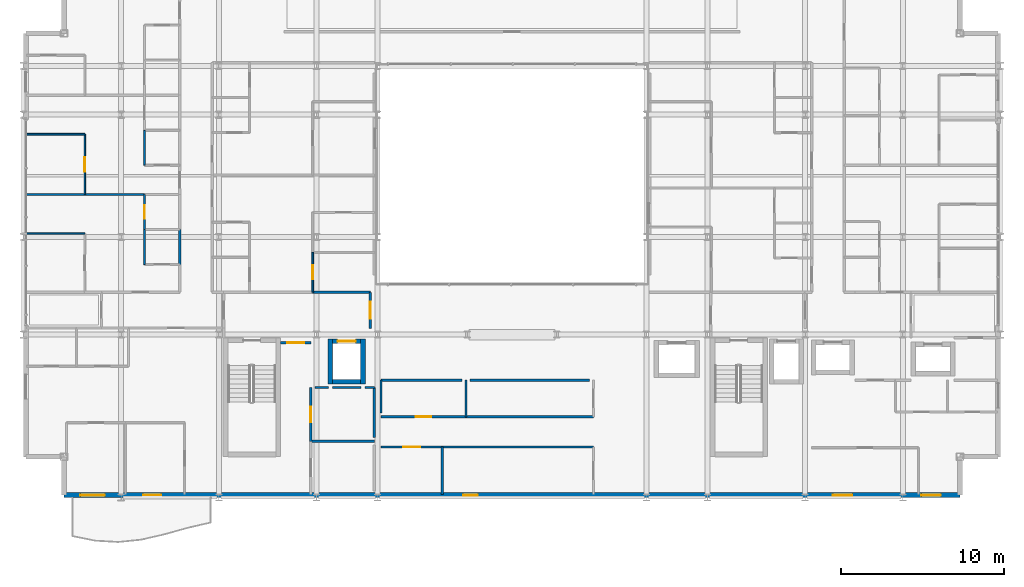
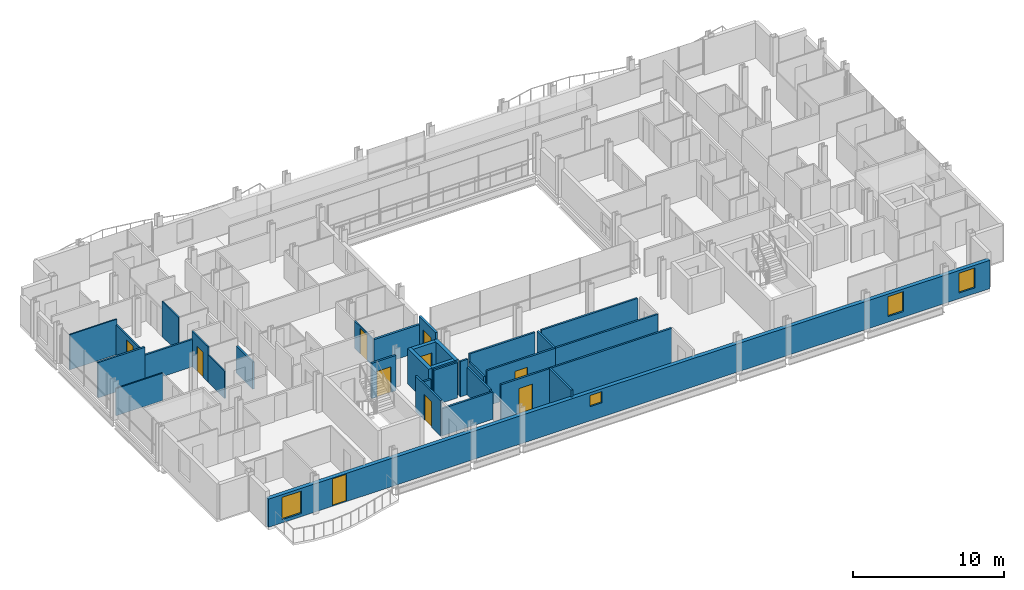
# One storey, part 32 of 41: 33 walls, 10 doors, 4 windows, 14 openings.
"""IFC4 building model written with IfcOpenShell, lengths in metres."""

import ifcopenshell
import ifcopenshell.guid

model = None  # the IFC model being written
_history = None  # IfcOwnerHistory: only IFC2X3 demands one
_inside = {}  # id of a spatial element -> (the spatial element, [elements in it])
_under = {}  # id of a project, library or spatial element -> (it, [spatial elements below it])
_declared = {}  # id of a project -> (the project, [libraries it declares])
_typed = {}  # id of a type object -> (the type object, [elements of that type])
_made_of = {}  # id of a material, layer set ... -> (it, [elements and type objects made of it])


def new_model(schema):
    """Start an empty IFC model of exactly this schema.

    Asked for "IFC4X3", IfcOpenShell would pick the latest addendum, in which some entities
    have other attributes; the version numbers below select the first issue.
    IFC2X3 requires an IfcOwnerHistory on every rooted entity: one is made here for all.
    """
    global model, _history
    if schema == "IFC4X3":
        model = ifcopenshell.file(schema_version=(4, 3, 0, 0))
    else:
        model = ifcopenshell.file(schema=schema)
    _inside.clear()
    _under.clear()
    _declared.clear()
    _typed.clear()
    _made_of.clear()
    _history = None
    if model.schema == "IFC2X3":
        org = make("IfcOrganization", Name="unknown")
        user = make(
            "IfcPersonAndOrganization",
            ThePerson=make("IfcPerson", FamilyName="unknown"),
            TheOrganization=org,
        )
        app = make(
            "IfcApplication",
            ApplicationDeveloper=org,
            Version="unknown",
            ApplicationFullName="unknown",
            ApplicationIdentifier="unknown",
        )
        _history = make(
            "IfcOwnerHistory",
            OwningUser=user,
            OwningApplication=app,
            ChangeAction="ADDED",
            CreationDate=0,
        )
    return model


def make(cls, **values):
    """One entity of the class cls with the attributes given. An attribute that is None is left unset."""
    return model.create_entity(
        cls, **{name: value for name, value in values.items() if value is not None}
    )


def rooted(cls, **values):
    """An entity with a GlobalId (a new one), such as an element, a storey or a relation."""
    return make(cls, GlobalId=ifcopenshell.guid.new(), OwnerHistory=_history, **values)


def si_unit(unit_type, name, prefix=None):
    """IfcSIUnit, for example si_unit("LENGTHUNIT", "METRE", prefix="MILLI")."""
    return make("IfcSIUnit", UnitType=unit_type, Prefix=prefix, Name=name)


def assignment(units):
    """IfcUnitAssignment: the units of a project."""
    return None if units is None else make("IfcUnitAssignment", Units=units)


def point(xyz):
    """IfcCartesianPoint."""
    return None if xyz is None else make("IfcCartesianPoint", Coordinates=xyz)


def direction(xyz):
    """IfcDirection."""
    return None if xyz is None else make("IfcDirection", DirectionRatios=xyz)


def frame(location, z_axis=None, x_axis=None):
    """IfcAxis2Placement3D, a coordinate frame: its origin and axes. An axis left out is left unset."""
    return make(
        "IfcAxis2Placement3D",
        Location=point(location),
        Axis=direction(z_axis),
        RefDirection=direction(x_axis),
    )


def frame_2d(location, x_axis=None):
    """IfcAxis2Placement2D, a coordinate frame in the plane: its origin and x axis."""
    return make(
        "IfcAxis2Placement2D", Location=point(location), RefDirection=direction(x_axis)
    )


def origin():
    """The frame at (0, 0, 0) with its axes left unset."""
    return frame((0.0, 0.0, 0.0))


def place(relative_to, where):
    """IfcLocalPlacement: puts the frame where relative to a parent placement (None: the world)."""
    return make(
        "IfcLocalPlacement", PlacementRelTo=relative_to, RelativePlacement=where
    )


def context(
    kind, dimensions, precision=None, world=None, true_north=None, identifier=None
):
    """IfcGeometricRepresentationContext, for example the 3D "Model" context."""
    return make(
        "IfcGeometricRepresentationContext",
        ContextIdentifier=identifier,
        ContextType=kind,
        CoordinateSpaceDimension=dimensions,
        Precision=precision,
        WorldCoordinateSystem=world,
        TrueNorth=true_north,
    )


def subcontext(parent, identifier, kind, view, scale=None):
    """IfcGeometricRepresentationSubContext, for example "Body" below "Model"."""
    return make(
        "IfcGeometricRepresentationSubContext",
        ContextIdentifier=identifier,
        ContextType=kind,
        ParentContext=parent,
        TargetScale=scale,
        TargetView=view,
    )


def project(units=None, contexts=None):
    """IfcProject with its units and contexts."""
    return rooted(
        "IfcProject",
        Name="project",
        RepresentationContexts=contexts,
        UnitsInContext=assignment(units),
    )


def spatial(cls, under=None, at=None, **own):
    """A site, building, storey or space (cls), placed at a placement, below another one or the project."""
    s = rooted(cls, ObjectPlacement=at, **own)
    if under is not None:
        _under.setdefault(under.id(), (under, []))[1].append(s)
    return s


def profile(cls, at=None, kind="AREA", **sizes):
    """A parametric profile (cls). Its sizes go by their IFC names, for example OverallWidth=200.0."""
    return make(cls, ProfileType=kind, Position=at, **sizes)


def rectangle(**sizes):
    """IfcRectangleProfileDef."""
    return profile("IfcRectangleProfileDef", **sizes)


def extrude(swept, where, along, depth):
    """IfcExtrudedAreaSolid: the profile swept, set in the frame where, extruded along a direction by depth."""
    return make(
        "IfcExtrudedAreaSolid",
        SweptArea=swept,
        Position=where,
        ExtrudedDirection=direction(along),
        Depth=depth,
    )


def shape(context_of_items, identifier, shape_type, items):
    """IfcShapeRepresentation: the items that make up one representation, for example the "Body"."""
    return make(
        "IfcShapeRepresentation",
        ContextOfItems=context_of_items,
        RepresentationIdentifier=identifier,
        RepresentationType=shape_type,
        Items=items,
    )


def material(Name=None, Category=None):
    """IfcMaterial."""
    return make("IfcMaterial", Name=Name, Category=Category)


def layer(
    of_material, thickness, ventilated=None, Name=None, Category=None, Priority=None
):
    """IfcMaterialLayer: one layer of a wall or slab, of a material (None: an air gap)."""
    return make(
        "IfcMaterialLayer",
        Material=of_material,
        LayerThickness=thickness,
        IsVentilated=ventilated,
        Name=Name,
        Category=Category,
        Priority=Priority,
    )


def layer_set(layers, Name=None):
    """IfcMaterialLayerSet."""
    return make("IfcMaterialLayerSet", MaterialLayers=layers, LayerSetName=Name)


def made_of(thing, what):
    """Note that an element or type object is made of a material, layer set ...; save() writes the relation."""
    if what is not None:
        _made_of.setdefault(what.id(), (what, []))[1].append(thing)
    return thing


def type_object(cls, material=None, **own):
    """A type object (cls), such as IfcWallType, which elements share."""
    return made_of(rooted(cls, **own), material)


def element(
    cls,
    number,
    at=None,
    inside=None,
    cuts=None,
    type_object=None,
    material=None,
    context=None,
    identifier="Body",
    shape_type=None,
    held_by="IfcProductDefinitionShape",
    body=None,
    shapes=None,
    **own,
):
    """One element of the class cls, such as IfcWall. Its Tag is "e" and its number.

    at: its placement. inside: the storey or other place that contains it. cuts: it is an
    opening in that element (IfcRelVoidsElement). A single representation is given by context,
    identifier, shape_type and body (its items); several are given by shapes. held_by: the class
    of the entity that holds the representations. save() writes the other relations.
    """
    e = rooted(cls, Tag="e%d" % number, ObjectPlacement=at, **own)
    if body is not None:
        shapes = [shape(context, identifier, shape_type, body)]
    if shapes is not None:
        e.Representation = make(held_by, Representations=shapes)
    if inside is not None:
        _inside.setdefault(inside.id(), (inside, []))[1].append(e)
    if cuts is not None:
        rooted(
            "IfcRelVoidsElement", RelatingBuildingElement=cuts, RelatedOpeningElement=e
        )
    if type_object is not None:
        _typed.setdefault(type_object.id(), (type_object, []))[1].append(e)
    return made_of(e, material)


def fill(opening, filler):
    """IfcRelFillsElement: the door or window that sits in an opening."""
    return rooted(
        "IfcRelFillsElement",
        RelatingOpeningElement=opening,
        RelatedBuildingElement=filler,
    )


def aggregate(whole, parts):
    """IfcRelAggregates: a whole, such as a stair, and the parts it consists of."""
    return rooted("IfcRelAggregates", RelatingObject=whole, RelatedObjects=parts)


def save(model, path):
    """Write the relations noted so far, then the file.

    IfcRelAggregates (storeys below a building ...), IfcRelContainedInSpatialStructure (elements
    in a storey), IfcRelDefinesByType, IfcRelAssociatesMaterial and IfcRelDeclares: one each for
    every whole, place, type object, material and project.
    """
    for whole, parts in _under.values():
        aggregate(whole, parts)
    for where, things in _inside.values():
        rooted(
            "IfcRelContainedInSpatialStructure",
            RelatedElements=things,
            RelatingStructure=where,
        )
    for kind, things in _typed.values():
        rooted("IfcRelDefinesByType", RelatedObjects=things, RelatingType=kind)
    for what, things in _made_of.values():
        rooted("IfcRelAssociatesMaterial", RelatedObjects=things, RelatingMaterial=what)
    for by, libraries in _declared.values():
        rooted("IfcRelDeclares", RelatingContext=by, RelatedDefinitions=libraries)
    model.write(path)


model = new_model("IFC4")

# Units and contexts
model_context = context("Model", 3, precision=1e-05, world=origin(), true_north=direction((0.0, 1.0)))
body_context = subcontext(model_context, "Body", "Model", "MODEL_VIEW")
ifc_project = project(units=[si_unit("LENGTHUNIT", "METRE"), si_unit("AREAUNIT", "SQUARE_METRE"), si_unit("VOLUMEUNIT", "CUBIC_METRE"), si_unit("PLANEANGLEUNIT", "RADIAN"), si_unit("MASSUNIT", "GRAM", prefix="KILO")], contexts=[model_context])

# Site, building, storey
site_placement = place(None, origin())
site = spatial("IfcSite", under=ifc_project, at=site_placement, CompositionType="ELEMENT")
building_placement = place(site_placement, origin())
building = spatial("IfcBuilding", under=site, at=building_placement, Name="Brevholm Reach", CompositionType="ELEMENT")
storey_placement = place(building_placement, frame((0.0, 0.0, 93.10009765625)))
storey = spatial("IfcBuildingStorey", under=building, at=storey_placement, Name="L27", CompositionType="ELEMENT", Elevation=93.10009765625)

# Walls
ifc_material_1 = material(Name="Concrete C50/60", Category="concrete")
ifc_layer_1 = layer(ifc_material_1, 0.280029296875)
ifc_layer_set_1 = layer_set([ifc_layer_1], Name="Concrete C50/60")
wall_type_1 = type_object("IfcWallType", Name="WAL-COR-280", PredefinedType="SHEAR", material=ifc_layer_set_1)
for number, where, z_axis, x_axis, name in (
    (1, (18.85009765625, 6.9599609375, 0.0), (0.0, 0.0, 1.0), (0.0, 1.0, 0.0), "L27 Lift FFL-1 Shaft Wall W"),
    (2, (20.85009765625, 6.9599609375, 0.0), (0.0, 0.0, 1.0), (0.0, 1.0, 0.0), "L27 Lift FFL-1 Shaft Wall E"),
):
    element("IfcWall", number, at=place(storey_placement, frame(where, z_axis=z_axis, x_axis=x_axis)), inside=storey, type_object=wall_type_1, Name=name, PredefinedType="SHEAR", context=body_context, shape_type="SweptSolid", body=[
        extrude(rectangle(XDim=2.780029296875, YDim=0.280029296875, at=frame_2d((1.39013671875, 0.0))), origin(), (0.0, 0.0, 1.0), 2.83984375),
    ])
wall_1_placement = place(storey_placement, frame((18.989990234375, 7.10009765625, 0.0), z_axis=(0.0, 0.0, 1.0), x_axis=(1.0, 0.0, 0.0)))
element("IfcWall", 3, at=wall_1_placement, inside=storey, type_object=wall_type_1, Name="L27 Lift FFL-1 Shaft Wall S", PredefinedType="SHEAR", context=body_context, shape_type="SweptSolid", body=[
    extrude(rectangle(XDim=1.719970703125, YDim=0.280029296875, at=frame_2d((0.85986328125, 0.0))), origin(), (0.0, 0.0, 1.0), 2.83984375),
])

# Wall, opening, door
wall_2_placement = place(storey_placement, frame((18.989990234375, 9.60009765625, 0.0), z_axis=(0.0, 0.0, 1.0), x_axis=(1.0, 0.0, 0.0)))
wall_2 = element("IfcWall", 4, at=wall_2_placement, inside=storey, type_object=wall_type_1, Name="L27 Lift FFL-1 Shaft Wall N", PredefinedType="SHEAR", context=body_context, shape_type="SweptSolid", body=[
    extrude(rectangle(XDim=1.719970703125, YDim=0.280029296875, at=frame_2d((0.85986328125, 0.0))), origin(), (0.0, 0.0, 1.0), 2.83984375),
])
opening_1_placement = place(wall_2_placement, frame((0.31005859375, 0.0, 0.0)))
opening_1 = element("IfcOpeningElement", 5, at=opening_1_placement, cuts=wall_2, Name="Opening LD-FFL-1", PredefinedType="OPENING", context=body_context, shape_type="SweptSolid", body=[
    extrude(rectangle(XDim=1.10009765625, YDim=2.06005859375, at=frame_2d((0.550048828125, 1.030029296875))), frame((0.0, 0.14990234375, 0.0), z_axis=(0.0, -1.0, 0.0), x_axis=(1.0, 0.0, 0.0)), (0.0, 0.0, 1.0), 0.300048828125),
])
ifc_material_2 = material(Name="Brushed Stainless Steel Fire-Rated Sliding Lift Door", Category="steel")
door_type_1 = type_object("IfcDoorType", Name="DOR-LFT-1100", OperationType="NOTDEFINED", PredefinedType="DOOR", material=ifc_material_2)
door_1_placement = place(opening_1_placement, origin())
door_1 = element("IfcDoor", 6, at=door_1_placement, inside=storey, type_object=door_type_1, Name="L27 Lift FFL-1 Sliding Landing Door", OperationType="SLIDING_TO_LEFT", OverallHeight=2.06005859375, OverallWidth=1.10009765625, PredefinedType="DOOR", context=body_context, shape_type="SweptSolid", body=[
    extrude(rectangle(XDim=1.10009765625, YDim=2.06005859375, at=frame_2d((0.550048828125, 1.030029296875))), frame((0.0, 0.02490234375, 0.0), z_axis=(0.0, -1.0, 0.0), x_axis=(1.0, 0.0, 0.0)), (0.0, 0.0, 1.0), 0.050048828125),
])
fill(opening_1, door_1)

# Wall, openings, door, windows
ifc_material_3 = material(Name="Concrete C40/50", Category="concrete")
ifc_layer_2 = layer(ifc_material_3, 0.300048828125)
ifc_layer_set_2 = layer_set([ifc_layer_2], Name="Concrete C40/50")
wall_type_2 = type_object("IfcWallType", Name="WAL-EXT-300", PredefinedType="STANDARD", material=ifc_layer_set_2)
wall_3_placement = place(storey_placement, frame((2.5, 0.14990234375, 0.0), z_axis=(0.0, 0.0, 1.0), x_axis=(1.0, 0.0, 0.0)))
wall_3 = element("IfcWall", 7, at=wall_3_placement, inside=storey, type_object=wall_type_2, Name="L27 Facade Wall WAL-L27-S", PredefinedType="STANDARD", context=body_context, shape_type="SweptSolid", body=[
    extrude(rectangle(XDim=55.0, YDim=0.300048828125, at=frame_2d((27.5, 0.0))), origin(), (0.0, 0.0, 1.0), 2.275390625),
])
opening_2_placement = place(wall_3_placement, frame((4.85009765625, 0.0, 0.0)))
opening_2 = element("IfcOpeningElement", 8, at=opening_2_placement, cuts=wall_3, Name="Opening BD-01", PredefinedType="OPENING", context=body_context, shape_type="SweptSolid", body=[
    extrude(rectangle(XDim=1.10009765625, YDim=2.199951171875, at=frame_2d((0.550048828125, 1.10009765625))), frame((0.0, 0.159912109375, 0.0), z_axis=(0.0, -1.0, 0.0), x_axis=(1.0, 0.0, 0.0)), (0.0, 0.0, 1.0), 0.320068359375),
])
opening_3_placement = place(wall_3_placement, frame((1.0, 0.0, 0.256103515625)))
opening_3 = element("IfcOpeningElement", 9, at=opening_3_placement, cuts=wall_3, Name="Opening WN-05", PredefinedType="OPENING", context=body_context, shape_type="SweptSolid", body=[
    extrude(rectangle(XDim=1.5, YDim=1.800048828125, at=frame_2d((0.75, 0.89990234375))), frame((0.0, 0.159912109375, 0.0), z_axis=(0.0, -1.0, 0.0), x_axis=(1.0, 0.0, 0.0)), (0.0, 0.0, 1.0), 0.320068359375),
])
opening_4_placement = place(wall_3_placement, frame((24.5, 0.0, 1.14990234375)))
opening_4 = element("IfcOpeningElement", 10, at=opening_4_placement, cuts=wall_3, Name="Opening WN-09", PredefinedType="OPENING", context=body_context, shape_type="SweptSolid", body=[
    extrude(rectangle(XDim=0.89990234375, YDim=0.89990234375, at=frame_2d((0.449951171875, 0.449951171875))), frame((0.0, 0.159912109375, 0.0), z_axis=(0.0, -1.0, 0.0), x_axis=(1.0, 0.0, 0.0)), (0.0, 0.0, 1.0), 0.320068359375),
])
opening_5_placement = place(wall_3_placement, frame((47.199951171875, 0.0, 0.4560546875)))
opening_5 = element("IfcOpeningElement", 11, at=opening_5_placement, cuts=wall_3, Name="Opening WN-08", PredefinedType="OPENING", context=body_context, shape_type="SweptSolid", body=[
    extrude(rectangle(XDim=1.199951171875, YDim=1.60009765625, at=frame_2d((0.60009765625, 0.800048828125))), frame((0.0, 0.159912109375, 0.0), z_axis=(0.0, -1.0, 0.0), x_axis=(1.0, 0.0, 0.0)), (0.0, 0.0, 1.0), 0.320068359375),
])
opening_6_placement = place(wall_3_placement, frame((52.6298828125, 0.0, 0.4560546875)))
opening_6 = element("IfcOpeningElement", 12, at=opening_6_placement, cuts=wall_3, Name="Opening WN-08", PredefinedType="OPENING", context=body_context, shape_type="SweptSolid", body=[
    extrude(rectangle(XDim=1.199951171875, YDim=1.60009765625, at=frame_2d((0.60009765625, 0.800048828125))), frame((0.0, 0.159912109375, 0.0), z_axis=(0.0, -1.0, 0.0), x_axis=(1.0, 0.0, 0.0)), (0.0, 0.0, 1.0), 0.320068359375),
])
ifc_material_4 = material(Name="Dark Anodised Aluminium and Triple-Glazed Glass", Category="aluminium")
door_type_2 = type_object("IfcDoorType", Name="DOR-BALC-1100", OperationType="NOTDEFINED", PredefinedType="DOOR", material=ifc_material_4)
door_2_placement = place(opening_2_placement, origin())
door_2 = element("IfcDoor", 13, at=door_2_placement, inside=storey, type_object=door_type_2, Name="L27 Exterior Door DOR-L27-BL-SW", OperationType="SINGLE_SWING_RIGHT", OverallHeight=2.199951171875, OverallWidth=1.10009765625, PredefinedType="DOOR", context=body_context, shape_type="SweptSolid", body=[
    extrude(rectangle(XDim=1.10009765625, YDim=2.199951171875, at=frame_2d((0.550048828125, 1.10009765625))), frame((0.0, 0.02490234375, 0.0), z_axis=(0.0, -1.0, 0.0), x_axis=(1.0, 0.0, 0.0)), (0.0, 0.0, 1.0), 0.050048828125),
])
fill(opening_2, door_2)
ifc_material_5 = material(Name="Dark Anodised Aluminium and Solar-Control IGU Glass", Category="aluminium")
window_type_1 = type_object("IfcWindowType", Name="WIN-POR-0900", PartitioningType="SINGLE_PANEL", PredefinedType="WINDOW", material=ifc_material_5)
window_1_placement = place(opening_4_placement, origin())
window_1 = element("IfcWindow", 14, at=window_1_placement, inside=storey, type_object=window_type_1, Name="L27 Window WIN-L27-S-POR", OverallHeight=0.89990234375, OverallWidth=0.89990234375, PartitioningType="SINGLE_PANEL", PredefinedType="WINDOW", context=body_context, shape_type="SweptSolid", body=[
    extrude(rectangle(XDim=0.89990234375, YDim=0.89990234375, at=frame_2d((0.449951171875, 0.449951171875))), frame((0.0, 0.030029296875, 0.0), z_axis=(0.0, -1.0, 0.0), x_axis=(1.0, 0.0, 0.0)), (0.0, 0.0, 1.0), 0.06005859375),
])
fill(opening_4, window_1)
ifc_material_6 = material(Name="Dark Anodised Aluminium and Solar-Control IGU Glass", Category="aluminium")
window_type_2 = type_object("IfcWindowType", Name="WIN-RES-1200", PartitioningType="SINGLE_PANEL", PredefinedType="WINDOW", material=ifc_material_6)
window_2_placement = place(opening_5_placement, origin())
window_2 = element("IfcWindow", 15, at=window_2_placement, inside=storey, type_object=window_type_2, Name="L27 Window WIN-L27-S-E1", OverallHeight=1.60009765625, OverallWidth=1.199951171875, PartitioningType="SINGLE_PANEL", PredefinedType="WINDOW", context=body_context, shape_type="SweptSolid", body=[
    extrude(rectangle(XDim=1.199951171875, YDim=1.60009765625, at=frame_2d((0.60009765625, 0.800048828125))), frame((0.0, 0.030029296875, 0.0), z_axis=(0.0, -1.0, 0.0), x_axis=(1.0, 0.0, 0.0)), (0.0, 0.0, 1.0), 0.06005859375),
])
fill(opening_5, window_2)
window_3_placement = place(opening_6_placement, origin())
window_3 = element("IfcWindow", 16, at=window_3_placement, inside=storey, type_object=window_type_2, Name="L27 Window WIN-L27-S-E2", OverallHeight=1.60009765625, OverallWidth=1.199951171875, PartitioningType="SINGLE_PANEL", PredefinedType="WINDOW", context=body_context, shape_type="SweptSolid", body=[
    extrude(rectangle(XDim=1.199951171875, YDim=1.60009765625, at=frame_2d((0.60009765625, 0.800048828125))), frame((0.0, 0.030029296875, 0.0), z_axis=(0.0, -1.0, 0.0), x_axis=(1.0, 0.0, 0.0)), (0.0, 0.0, 1.0), 0.06005859375),
])
fill(opening_6, window_3)
ifc_material_7 = material(Name="Dark Anodised Aluminium and Solar-Control IGU Glass", Category="aluminium")
window_type_3 = type_object("IfcWindowType", Name="WIN-RES-1500", PartitioningType="SINGLE_PANEL", PredefinedType="WINDOW", material=ifc_material_7)
window_4_placement = place(opening_3_placement, origin())
window_4 = element("IfcWindow", 17, at=window_4_placement, inside=storey, type_object=window_type_3, Name="L27 Window WIN-L27-S-W1", OverallHeight=1.800048828125, OverallWidth=1.5, PartitioningType="SINGLE_PANEL", PredefinedType="WINDOW", context=body_context, shape_type="SweptSolid", body=[
    extrude(rectangle(XDim=1.5, YDim=1.800048828125, at=frame_2d((0.75, 0.89990234375))), frame((0.0, 0.030029296875, 0.0), z_axis=(0.0, -1.0, 0.0), x_axis=(1.0, 0.0, 0.0)), (0.0, 0.0, 1.0), 0.06005859375),
])
fill(opening_3, window_4)

# Wall, opening, door
ifc_material_8 = material(Name="Moisture-Resistant Acoustic Gypsum Stud Partition 100 mm", Category="gypsum")
ifc_layer_3 = layer(ifc_material_8, 0.10009765625)
ifc_layer_set_3 = layer_set([ifc_layer_3], Name="Moisture-Resistant Acoustic Gypsum Stud Partition 100 mm")
wall_type_3 = type_object("IfcWallType", Name="WAL-PRT-100", PredefinedType="PARTITIONING", material=ifc_layer_set_3)
wall_4_placement = place(storey_placement, frame((7.43798828125, 16.449951171875, 0.0), z_axis=(0.0, 0.0, 1.0), x_axis=(0.0, 1.0, 0.0)))
wall_4 = element("IfcWall", 18, at=wall_4_placement, inside=storey, type_object=wall_type_3, Name="L27 Internal Partition 091", PredefinedType="PARTITIONING", context=body_context, shape_type="SweptSolid", body=[
    extrude(rectangle(XDim=2.150146484375, YDim=0.10009765625, at=frame_2d((1.0751953125, 0.0))), origin(), (0.0, 0.0, 1.0), 2.83984375),
])
opening_7_placement = place(wall_4_placement, frame((0.6650390625, 0.0, 0.0)))
opening_7 = element("IfcOpeningElement", 19, at=opening_7_placement, cuts=wall_4, Name="Opening ID-03", PredefinedType="OPENING", context=body_context, shape_type="SweptSolid", body=[
    extrude(rectangle(XDim=0.820068359375, YDim=2.02001953125, at=frame_2d((0.41015625, 1.010009765625))), frame((0.0, 0.06005859375, 0.0), z_axis=(0.0, -1.0, 0.0), x_axis=(1.0, 0.0, 0.0)), (0.0, 0.0, 1.0), 0.1201171875),
])
ifc_material_9 = material(Name="Moisture-Resistant Painted Timber Internal Bathroom Door", Category="wood")
door_type_3 = type_object("IfcDoorType", Name="DOR-BATH-820", OperationType="NOTDEFINED", PredefinedType="DOOR", material=ifc_material_9)
door_3_placement = place(opening_7_placement, origin())
door_3 = element("IfcDoor", 20, at=door_3_placement, inside=storey, type_object=door_type_3, Name="L27 Internal Door 033", OperationType="SINGLE_SWING_RIGHT", OverallHeight=2.02001953125, OverallWidth=0.820068359375, PredefinedType="DOOR", context=body_context, shape_type="SweptSolid", body=[
    extrude(rectangle(XDim=0.820068359375, YDim=2.02001953125, at=frame_2d((0.41015625, 1.010009765625))), frame((0.0, 0.02490234375, 0.0), z_axis=(0.0, -1.0, 0.0), x_axis=(1.0, 0.0, 0.0)), (0.0, 0.0, 1.0), 0.050048828125),
])
fill(opening_7, door_3)

# Walls
wall_5_placement = place(storey_placement, frame((7.43798828125, 14.300048828125, 0.0), z_axis=(0.0, 0.0, 1.0), x_axis=(0.0, 1.0, 0.0)))
element("IfcWall", 21, at=wall_5_placement, inside=storey, type_object=wall_type_3, Name="L27 Internal Partition 094", PredefinedType="PARTITIONING", context=body_context, shape_type="SweptSolid", body=[
    extrude(rectangle(XDim=2.14599609375, YDim=0.10009765625, at=frame_2d((1.072998046875, 0.0))), origin(), (0.0, 0.0, 1.0), 2.19482421875),
])
wall_6_placement = place(storey_placement, frame((0.199951171875, 16.199951171875, 0.0), z_axis=(0.0, 0.0, 1.0), x_axis=(1.0, 0.0, 0.0)))
element("IfcWall", 22, at=wall_6_placement, inside=storey, type_object=wall_type_3, Name="L27 Internal Partition 096", PredefinedType="PARTITIONING", context=body_context, shape_type="SweptSolid", body=[
    extrude(rectangle(XDim=3.572021484375, YDim=0.10009765625, at=frame_2d((1.7861328125, 0.0))), origin(), (0.0, 0.0, 1.0), 2.19482421875),
])
wall_7_placement = place(storey_placement, frame((7.43798828125, 20.39990234375, 0.0), z_axis=(0.0, 0.0, 1.0), x_axis=(0.0, 1.0, 0.0)))
element("IfcWall", 23, at=wall_7_placement, inside=storey, type_object=wall_type_3, Name="L27 Internal Partition 103", PredefinedType="PARTITIONING", context=body_context, shape_type="SweptSolid", body=[
    extrude(rectangle(XDim=2.14599609375, YDim=0.10009765625, at=frame_2d((1.072998046875, 0.0))), origin(), (0.0, 0.0, 1.0), 2.83984375),
])

# Wall, opening, door
wall_8_placement = place(storey_placement, frame((3.77197265625, 18.60400390625, 0.0), z_axis=(0.0, 0.0, 1.0), x_axis=(0.0, 1.0, 0.0)))
wall_8 = element("IfcWall", 24, at=wall_8_placement, inside=storey, type_object=wall_type_3, Name="L27 Internal Partition 104", PredefinedType="PARTITIONING", context=body_context, shape_type="SweptSolid", body=[
    extrude(rectangle(XDim=3.696044921875, YDim=0.10009765625, at=frame_2d((1.84814453125, 0.0))), origin(), (0.0, 0.0, 1.0), 2.408447265625),
])
opening_8_placement = place(wall_8_placement, frame((1.407958984375, 0.0, 0.0)))
opening_8 = element("IfcOpeningElement", 25, at=opening_8_placement, cuts=wall_8, Name="Opening ID-01", PredefinedType="OPENING", context=body_context, shape_type="SweptSolid", body=[
    extrude(rectangle(XDim=0.8798828125, YDim=2.0400390625, at=frame_2d((0.43994140625, 1.02001953125))), frame((0.0, 0.06005859375, 0.0), z_axis=(0.0, -1.0, 0.0), x_axis=(1.0, 0.0, 0.0)), (0.0, 0.0, 1.0), 0.1201171875),
])
ifc_material_10 = material(Name="Lacquered Ash Solid-Core Acoustic Internal Door", Category="timber")
door_type_4 = type_object("IfcDoorType", Name="DOR-INT-880", OperationType="NOTDEFINED", PredefinedType="DOOR", material=ifc_material_10)
door_4_placement = place(opening_8_placement, origin())
door_4 = element("IfcDoor", 26, at=door_4_placement, inside=storey, type_object=door_type_4, Name="L27 Internal Door 038", OperationType="SINGLE_SWING_LEFT", OverallHeight=2.0400390625, OverallWidth=0.8798828125, PredefinedType="DOOR", context=body_context, shape_type="SweptSolid", body=[
    extrude(rectangle(XDim=0.8798828125, YDim=2.0400390625, at=frame_2d((0.43994140625, 1.02001953125))), frame((0.0, 0.02490234375, 0.0), z_axis=(0.0, -1.0, 0.0), x_axis=(1.0, 0.0, 0.0)), (0.0, 0.0, 1.0), 0.050048828125),
])
fill(opening_8, door_4)

# Wall
wall_9_placement = place(storey_placement, frame((0.199951171875, 22.300048828125, 0.0), z_axis=(0.0, 0.0, 1.0), x_axis=(1.0, 0.0, 0.0)))
element("IfcWall", 27, at=wall_9_placement, inside=storey, type_object=wall_type_3, Name="L27 Internal Partition 105", PredefinedType="PARTITIONING", context=body_context, shape_type="SweptSolid", body=[
    extrude(rectangle(XDim=3.572021484375, YDim=0.10009765625, at=frame_2d((1.7861328125, 0.0))), origin(), (0.0, 0.0, 1.0), 2.83984375),
])

# Wall, opening, door
wall_10_placement = place(storey_placement, frame((17.76904296875, 12.60400390625, 0.0), z_axis=(0.0, 0.0, 1.0), x_axis=(0.0, 1.0, 0.0)))
wall_10 = element("IfcWall", 28, at=wall_10_placement, inside=storey, type_object=wall_type_3, Name="L27 Internal Partition 119", PredefinedType="PARTITIONING", context=body_context, shape_type="SweptSolid", body=[
    extrude(rectangle(XDim=2.446044921875, YDim=0.10009765625, at=frame_2d((1.22314453125, 0.0))), origin(), (0.0, 0.0, 1.0), 2.19482421875),
])
opening_9_placement = place(wall_10_placement, frame((0.782958984375, 0.0, 0.0)))
opening_9 = element("IfcOpeningElement", 29, at=opening_9_placement, cuts=wall_10, Name="Opening ID-01", PredefinedType="OPENING", context=body_context, shape_type="SweptSolid", body=[
    extrude(rectangle(XDim=0.8798828125, YDim=2.0400390625, at=frame_2d((0.43994140625, 1.02001953125))), frame((0.0, 0.06005859375, 0.0), z_axis=(0.0, -1.0, 0.0), x_axis=(1.0, 0.0, 0.0)), (0.0, 0.0, 1.0), 0.1201171875),
])
door_5_placement = place(opening_9_placement, origin())
door_5 = element("IfcDoor", 30, at=door_5_placement, inside=storey, type_object=door_type_4, Name="L27 Internal Door 044", OperationType="SINGLE_SWING_LEFT", OverallHeight=2.0400390625, OverallWidth=0.8798828125, PredefinedType="DOOR", context=body_context, shape_type="SweptSolid", body=[
    extrude(rectangle(XDim=0.8798828125, YDim=2.0400390625, at=frame_2d((0.43994140625, 1.02001953125))), frame((0.0, 0.02490234375, 0.0), z_axis=(0.0, -1.0, 0.0), x_axis=(1.0, 0.0, 0.0)), (0.0, 0.0, 1.0), 0.050048828125),
])
fill(opening_9, door_5)

ifc_material_11 = material(Name="Twin-Stud Acoustic Fire-Rated Gypsum Partition 140 mm", Category="gypsum")
ifc_layer_4 = layer(ifc_material_11, 0.139892578125)
ifc_layer_set_4 = layer_set([ifc_layer_4], Name="Twin-Stud Acoustic Fire-Rated Gypsum Partition 140 mm")
wall_type_4 = type_object("IfcWallType", Name="WAL-PRT-140", PredefinedType="PARTITIONING", material=ifc_layer_set_4)
wall_11_placement = place(storey_placement, frame((21.949951171875, 3.10009765625, 0.0), z_axis=(0.0, 0.0, 1.0), x_axis=(1.0, 0.0, 0.0)))
wall_11 = element("IfcWall", 31, at=wall_11_placement, inside=storey, type_object=wall_type_4, Name="L27 Internal Partition 003", PredefinedType="PARTITIONING", context=body_context, shape_type="SweptSolid", body=[
    extrude(rectangle(XDim=3.78125, YDim=0.139892578125, at=frame_2d((1.890625, 0.0))), origin(), (0.0, 0.0, 1.0), 2.83984375),
])
opening_10_placement = place(wall_11_placement, frame((1.36572265625, 0.0, 0.0)))
opening_10 = element("IfcOpeningElement", 32, at=opening_10_placement, cuts=wall_11, Name="Opening FD-01", PredefinedType="OPENING", context=body_context, shape_type="SweptSolid", body=[
    extrude(rectangle(XDim=1.050048828125, YDim=2.06005859375, at=frame_2d((0.52490234375, 1.030029296875))), frame((0.0, 0.079833984375, 0.0), z_axis=(0.0, -1.0, 0.0), x_axis=(1.0, 0.0, 0.0)), (0.0, 0.0, 1.0), 0.159912109375),
])
ifc_material_12 = material(Name="Hardwood-Lipped Steel-Core Fire and Smoke Door", Category="steel")
door_type_5 = type_object("IfcDoorType", Name="DOR-INT-FD60S", OperationType="NOTDEFINED", PredefinedType="DOOR", material=ifc_material_12)
door_6_placement = place(opening_10_placement, origin())
door_6 = element("IfcDoor", 33, at=door_6_placement, inside=storey, type_object=door_type_5, Name="L27 Internal Door 003", OperationType="SINGLE_SWING_RIGHT", OverallHeight=2.06005859375, OverallWidth=1.050048828125, PredefinedType="DOOR", context=body_context, shape_type="SweptSolid", body=[
    extrude(rectangle(XDim=1.050048828125, YDim=2.06005859375, at=frame_2d((0.52490234375, 1.030029296875))), frame((0.0, 0.02490234375, 0.0), z_axis=(0.0, -1.0, 0.0), x_axis=(1.0, 0.0, 0.0)), (0.0, 0.0, 1.0), 0.050048828125),
])
fill(opening_10, door_6)

# Wall
wall_12_placement = place(storey_placement, frame((25.712646484375, 3.10009765625, 0.0), z_axis=(0.0, 0.0, 1.0), x_axis=(1.0, 0.0, 0.0)))
element("IfcWall", 34, at=wall_12_placement, inside=storey, type_object=wall_type_4, Name="L27 Internal Partition 004", PredefinedType="PARTITIONING", context=body_context, shape_type="SweptSolid", body=[
    extrude(rectangle(XDim=9.283447265625, YDim=0.139892578125, at=frame_2d((4.6416015625, 0.0))), origin(), (0.0, 0.0, 1.0), 2.83984375),
])

# Wall, opening, door
wall_13_placement = place(storey_placement, frame((21.949951171875, 4.949951171875, 0.0), z_axis=(0.0, 0.0, 1.0), x_axis=(1.0, 0.0, 0.0)))
wall_13 = element("IfcWall", 35, at=wall_13_placement, inside=storey, type_object=wall_type_4, Name="L27 Internal Partition 005", PredefinedType="PARTITIONING", context=body_context, shape_type="SweptSolid", body=[
    extrude(rectangle(XDim=5.2314453125, YDim=0.139892578125, at=frame_2d((2.61572265625, 0.0))), origin(), (0.0, 0.0, 1.0), 2.83984375),
])
opening_11_placement = place(wall_13_placement, frame((2.140625, 0.0, 0.0)))
opening_11 = element("IfcOpeningElement", 36, at=opening_11_placement, cuts=wall_13, Name="Opening ID-30", PredefinedType="OPENING", context=body_context, shape_type="SweptSolid", body=[
    extrude(rectangle(XDim=0.949951171875, YDim=2.050048828125, at=frame_2d((0.47509765625, 1.02490234375))), frame((0.0, 0.079833984375, 0.0), z_axis=(0.0, -1.0, 0.0), x_axis=(1.0, 0.0, 0.0)), (0.0, 0.0, 1.0), 0.159912109375),
])
ifc_material_13 = material(Name="European Oak Veneered Solid-Core Fire Entrance Door", Category="timber")
door_type_6 = type_object("IfcDoorType", Name="DOR-FLT-FD30S", OperationType="NOTDEFINED", PredefinedType="DOOR", material=ifc_material_13)
door_7_placement = place(opening_11_placement, origin())
door_7 = element("IfcDoor", 37, at=door_7_placement, inside=storey, type_object=door_type_6, Name="L27 Internal Door 004", OperationType="SINGLE_SWING_LEFT", OverallHeight=2.050048828125, OverallWidth=0.949951171875, PredefinedType="DOOR", context=body_context, shape_type="SweptSolid", body=[
    extrude(rectangle(XDim=0.949951171875, YDim=2.050048828125, at=frame_2d((0.47509765625, 1.02490234375))), frame((0.0, 0.02490234375, 0.0), z_axis=(0.0, -1.0, 0.0), x_axis=(1.0, 0.0, 0.0)), (0.0, 0.0, 1.0), 0.050048828125),
])
fill(opening_11, door_7)

# Walls
wall_14_placement = place(storey_placement, frame((27.16259765625, 4.949951171875, 0.0), z_axis=(0.0, 0.0, 1.0), x_axis=(1.0, 0.0, 0.0)))
element("IfcWall", 38, at=wall_14_placement, inside=storey, type_object=wall_type_4, Name="L27 Internal Partition 006", PredefinedType="PARTITIONING", context=body_context, shape_type="SweptSolid", body=[
    extrude(rectangle(XDim=7.83349609375, YDim=0.139892578125, at=frame_2d((3.916748046875, 0.0))), origin(), (0.0, 0.0, 1.0), 2.83984375),
])
wall_15_placement = place(storey_placement, frame((25.719970703125, 0.179931640625, 0.0), z_axis=(0.0, 0.0, 1.0), x_axis=(0.0, 1.0, 0.0)))
element("IfcWall", 39, at=wall_15_placement, inside=storey, type_object=wall_type_4, Name="L27 Internal Partition 007", PredefinedType="PARTITIONING", context=body_context, shape_type="SweptSolid", body=[
    extrude(rectangle(XDim=2.916015625, YDim=0.139892578125, at=frame_2d((1.4580078125, 0.0))), origin(), (0.0, 0.0, 1.0), 2.83984375),
])
wall_16_placement = place(storey_placement, frame((27.169921875, 4.9541015625, 0.0), z_axis=(0.0, 0.0, 1.0), x_axis=(0.0, 1.0, 0.0)))
element("IfcWall", 40, at=wall_16_placement, inside=storey, type_object=wall_type_4, Name="L27 Internal Partition 008", PredefinedType="PARTITIONING", context=body_context, shape_type="SweptSolid", body=[
    extrude(rectangle(XDim=2.245849609375, YDim=0.139892578125, at=frame_2d((1.123046875, 0.0))), origin(), (0.0, 0.0, 1.0), 2.83984375),
])

# Wall, opening, door
wall_17_placement = place(storey_placement, frame((17.64990234375, 3.442626953125, 0.0), z_axis=(0.0, 0.0, 1.0), x_axis=(0.0, 1.0, 0.0)))
wall_17 = element("IfcWall", 41, at=wall_17_placement, inside=storey, type_object=wall_type_4, Name="L27 Internal Partition 010", PredefinedType="PARTITIONING", context=body_context, shape_type="SweptSolid", body=[
    extrude(rectangle(XDim=3.318603515625, YDim=0.139892578125, at=frame_2d((1.6591796875, 0.0))), origin(), (0.0, 0.0, 1.0), 2.83984375),
])
opening_12_placement = place(wall_17_placement, frame((1.184326171875, 0.0, 0.0)))
opening_12 = element("IfcOpeningElement", 42, at=opening_12_placement, cuts=wall_17, Name="Opening ID-30", PredefinedType="OPENING", context=body_context, shape_type="SweptSolid", body=[
    extrude(rectangle(XDim=0.949951171875, YDim=2.050048828125, at=frame_2d((0.47509765625, 1.02490234375))), frame((0.0, 0.079833984375, 0.0), z_axis=(0.0, -1.0, 0.0), x_axis=(1.0, 0.0, 0.0)), (0.0, 0.0, 1.0), 0.159912109375),
])
door_8_placement = place(opening_12_placement, origin())
door_8 = element("IfcDoor", 43, at=door_8_placement, inside=storey, type_object=door_type_6, Name="L27 Internal Door 006", OperationType="SINGLE_SWING_LEFT", OverallHeight=2.050048828125, OverallWidth=0.949951171875, PredefinedType="DOOR", context=body_context, shape_type="SweptSolid", body=[
    extrude(rectangle(XDim=0.949951171875, YDim=2.050048828125, at=frame_2d((0.47509765625, 1.02490234375))), frame((0.0, 0.02490234375, 0.0), z_axis=(0.0, -1.0, 0.0), x_axis=(1.0, 0.0, 0.0)), (0.0, 0.0, 1.0), 0.050048828125),
])
fill(opening_12, door_8)

# Walls
wall_18_placement = place(storey_placement, frame((17.654052734375, 3.449951171875, 0.0), z_axis=(0.0, 0.0, 1.0), x_axis=(1.0, 0.0, 0.0)))
element("IfcWall", 44, at=wall_18_placement, inside=storey, type_object=wall_type_4, Name="L27 Internal Partition 012", PredefinedType="PARTITIONING", context=body_context, shape_type="SweptSolid", body=[
    extrude(rectangle(XDim=3.89599609375, YDim=0.139892578125, at=frame_2d((1.947998046875, 0.0))), origin(), (0.0, 0.0, 1.0), 2.19482421875),
])
wall_19_placement = place(storey_placement, frame((9.60009765625, 14.288818359375, 0.0), z_axis=(0.0, 0.0, 1.0), x_axis=(0.0, 1.0, 0.0)))
element("IfcWall", 45, at=wall_19_placement, inside=storey, type_object=wall_type_4, Name="L27 Internal Partition 036", PredefinedType="PARTITIONING", context=body_context, shape_type="SweptSolid", body=[
    extrude(rectangle(XDim=2.16845703125, YDim=0.139892578125, at=frame_2d((1.084228515625, 0.0))), origin(), (0.0, 0.0, 1.0), 2.19482421875),
])
wall_20_placement = place(storey_placement, frame((0.199951171875, 18.60009765625, 0.0), z_axis=(0.0, 0.0, 1.0), x_axis=(1.0, 0.0, 0.0)))
element("IfcWall", 46, at=wall_20_placement, inside=storey, type_object=wall_type_4, Name="L27 Internal Partition 097", PredefinedType="PARTITIONING", context=body_context, shape_type="SweptSolid", body=[
    extrude(rectangle(XDim=3.583251953125, YDim=0.139892578125, at=frame_2d((1.79150390625, 0.0))), origin(), (0.0, 0.0, 1.0), 2.83984375),
])
wall_21_placement = place(storey_placement, frame((3.7646484375, 18.60009765625, 0.0), z_axis=(0.0, 0.0, 1.0), x_axis=(1.0, 0.0, 0.0)))
element("IfcWall", 47, at=wall_21_placement, inside=storey, type_object=wall_type_4, Name="L27 Internal Partition 098", PredefinedType="PARTITIONING", context=body_context, shape_type="SweptSolid", body=[
    extrude(rectangle(XDim=3.66943359375, YDim=0.139892578125, at=frame_2d((1.834716796875, 0.0))), origin(), (0.0, 0.0, 1.0), 2.19482421875),
])
wall_22_placement = place(storey_placement, frame((21.949951171875, 7.199951171875, 0.0), z_axis=(0.0, 0.0, 1.0), x_axis=(1.0, 0.0, 0.0)))
element("IfcWall", 48, at=wall_22_placement, inside=storey, type_object=wall_type_4, Name="L27 Internal Partition 164", PredefinedType="PARTITIONING", context=body_context, shape_type="SweptSolid", body=[
    extrude(rectangle(XDim=4.97998046875, YDim=0.139892578125, at=frame_2d((2.489990234375, 0.0))), origin(), (0.0, 0.0, 1.0), 2.83984375),
])
wall_23_placement = place(storey_placement, frame((21.949951171875, 5.18994140625, 0.0), z_axis=(0.0, 0.0, 1.0), x_axis=(0.0, 1.0, 0.0)))
element("IfcWall", 49, at=wall_23_placement, inside=storey, type_object=wall_type_4, Name="L27 Internal Partition 165", PredefinedType="PARTITIONING", context=body_context, shape_type="SweptSolid", body=[
    extrude(rectangle(XDim=2.010009765625, YDim=0.139892578125, at=frame_2d((1.0048828125, 0.0))), origin(), (0.0, 0.0, 1.0), 2.19482421875),
])
wall_24_placement = place(storey_placement, frame((27.409912109375, 7.199951171875, 0.0), z_axis=(0.0, 0.0, 1.0), x_axis=(1.0, 0.0, 0.0)))
element("IfcWall", 50, at=wall_24_placement, inside=storey, type_object=wall_type_4, Name="L27 Internal Partition 166", PredefinedType="PARTITIONING", context=body_context, shape_type="SweptSolid", body=[
    extrude(rectangle(XDim=7.35009765625, YDim=0.139892578125, at=frame_2d((3.675048828125, 0.0))), origin(), (0.0, 0.0, 1.0), 2.83984375),
])
wall_25_placement = place(storey_placement, frame((21.550048828125, 3.68994140625, 0.0), z_axis=(0.0, 0.0, 1.0), x_axis=(0.0, 1.0, 0.0)))
element("IfcWall", 51, at=wall_25_placement, inside=storey, type_object=wall_type_4, Name="L27 Internal Partition 168", PredefinedType="PARTITIONING", context=body_context, shape_type="SweptSolid", body=[
    extrude(rectangle(XDim=3.06005859375, YDim=0.139892578125, at=frame_2d((1.530029296875, 0.0))), origin(), (0.0, 0.0, 1.0), 2.19482421875),
])
wall_26_placement = place(storey_placement, frame((20.9658203125, 6.75, 0.0), z_axis=(0.0, 0.0, 1.0), x_axis=(1.0, 0.0, 0.0)))
element("IfcWall", 52, at=wall_26_placement, inside=storey, type_object=wall_type_4, Name="L27 Internal Partition 169", PredefinedType="PARTITIONING", context=body_context, shape_type="SweptSolid", body=[
    extrude(rectangle(XDim=0.584228515625, YDim=0.139892578125, at=frame_2d((0.2919921875, 0.0))), origin(), (0.0, 0.0, 1.0), 2.83984375),
])
wall_27_placement = place(storey_placement, frame((18.9658203125, 6.75, 0.0), z_axis=(0.0, 0.0, 1.0), x_axis=(1.0, 0.0, 0.0)))
element("IfcWall", 53, at=wall_27_placement, inside=storey, type_object=wall_type_4, Name="L27 Internal Partition 170", PredefinedType="PARTITIONING", context=body_context, shape_type="SweptSolid", body=[
    extrude(rectangle(XDim=1.768310546875, YDim=0.139892578125, at=frame_2d((0.88427734375, 0.0))), origin(), (0.0, 0.0, 1.0), 2.83984375),
])
wall_28_placement = place(storey_placement, frame((17.889892578125, 6.75, 0.0), z_axis=(0.0, 0.0, 1.0), x_axis=(1.0, 0.0, 0.0)))
element("IfcWall", 54, at=wall_28_placement, inside=storey, type_object=wall_type_4, Name="L27 Internal Partition 171", PredefinedType="PARTITIONING", context=body_context, shape_type="SweptSolid", body=[
    extrude(rectangle(XDim=0.84423828125, YDim=0.139892578125, at=frame_2d((0.422119140625, 0.0))), origin(), (0.0, 0.0, 1.0), 2.19482421875),
])

# Wall, opening, door
ifc_material_14 = material(Name="Twin-Frame Fire-Rated Gypsum Board and Mineral Wool 160 mm", Category="gypsum")
ifc_layer_5 = layer(ifc_material_14, 0.159912109375)
ifc_layer_set_5 = layer_set([ifc_layer_5], Name="Twin-Frame Fire-Rated Gypsum Board and Mineral Wool 160 mm")
wall_type_5 = type_object("IfcWallType", Name="WAL-PRT-160", PredefinedType="PARTITIONING", material=ifc_layer_set_5)
wall_29_placement = place(storey_placement, frame((15.800048828125, 9.5, 0.0), z_axis=(0.0, 0.0, 1.0), x_axis=(1.0, 0.0, 0.0)))
wall_29 = element("IfcWall", 55, at=wall_29_placement, inside=storey, type_object=wall_type_5, Name="L27 Internal Partition 011", PredefinedType="PARTITIONING", context=body_context, shape_type="SweptSolid", body=[
    extrude(rectangle(XDim=1.849853515625, YDim=0.159912109375, at=frame_2d((0.9248046875, 0.0))), origin(), (0.0, 0.0, 1.0), 2.83984375),
])
opening_13_placement = place(wall_29_placement, frame((0.39990234375, 0.0, 0.0)))
opening_13 = element("IfcOpeningElement", 56, at=opening_13_placement, cuts=wall_29, Name="Opening FD-01", PredefinedType="OPENING", context=body_context, shape_type="SweptSolid", body=[
    extrude(rectangle(XDim=1.050048828125, YDim=2.06005859375, at=frame_2d((0.52490234375, 1.030029296875))), frame((0.0, 0.08984375, 0.0), z_axis=(0.0, -1.0, 0.0), x_axis=(1.0, 0.0, 0.0)), (0.0, 0.0, 1.0), 0.179931640625),
])
door_9_placement = place(opening_13_placement, origin())
door_9 = element("IfcDoor", 57, at=door_9_placement, inside=storey, type_object=door_type_5, Name="L27 Internal Door 007", OperationType="SINGLE_SWING_RIGHT", OverallHeight=2.06005859375, OverallWidth=1.050048828125, PredefinedType="DOOR", context=body_context, shape_type="SweptSolid", body=[
    extrude(rectangle(XDim=1.050048828125, YDim=2.06005859375, at=frame_2d((0.52490234375, 1.030029296875))), frame((0.0, 0.02490234375, 0.0), z_axis=(0.0, -1.0, 0.0), x_axis=(1.0, 0.0, 0.0)), (0.0, 0.0, 1.0), 0.050048828125),
])
fill(opening_13, door_9)

wall_30_placement = place(storey_placement, frame((21.300048828125, 10.388671875, 0.0), z_axis=(0.0, 0.0, 1.0), x_axis=(0.0, 1.0, 0.0)))
wall_30 = element("IfcWall", 58, at=wall_30_placement, inside=storey, type_object=wall_type_5, Name="L27 Internal Partition 019", PredefinedType="PARTITIONING", context=body_context, shape_type="SweptSolid", body=[
    extrude(rectangle(XDim=2.21142578125, YDim=0.159912109375, at=frame_2d((1.105712890625, 0.0))), origin(), (0.0, 0.0, 1.0), 2.83984375),
])
opening_14_placement = place(wall_30_placement, frame((0.58056640625, 0.0, 0.0)))
opening_14 = element("IfcOpeningElement", 59, at=opening_14_placement, cuts=wall_30, Name="Opening FD-01", PredefinedType="OPENING", context=body_context, shape_type="SweptSolid", body=[
    extrude(rectangle(XDim=1.050048828125, YDim=2.06005859375, at=frame_2d((0.52490234375, 1.030029296875))), frame((0.0, 0.08984375, 0.0), z_axis=(0.0, -1.0, 0.0), x_axis=(1.0, 0.0, 0.0)), (0.0, 0.0, 1.0), 0.179931640625),
])
door_10_placement = place(opening_14_placement, origin())
door_10 = element("IfcDoor", 60, at=door_10_placement, inside=storey, type_object=door_type_5, Name="L27 Internal Door 012", OperationType="SINGLE_SWING_LEFT", OverallHeight=2.06005859375, OverallWidth=1.050048828125, PredefinedType="DOOR", context=body_context, shape_type="SweptSolid", body=[
    extrude(rectangle(XDim=1.050048828125, YDim=2.06005859375, at=frame_2d((0.52490234375, 1.030029296875))), frame((0.0, 0.02490234375, 0.0), z_axis=(0.0, -1.0, 0.0), x_axis=(1.0, 0.0, 0.0)), (0.0, 0.0, 1.0), 0.050048828125),
])
fill(opening_14, door_10)

# Wall
wall_31_placement = place(storey_placement, frame((17.7578125, 12.60009765625, 0.0), z_axis=(0.0, 0.0, 1.0), x_axis=(1.0, 0.0, 0.0)))
element("IfcWall", 61, at=wall_31_placement, inside=storey, type_object=wall_type_5, Name="L27 Internal Partition 022", PredefinedType="PARTITIONING", context=body_context, shape_type="SweptSolid", body=[
    extrude(rectangle(XDim=3.542236328125, YDim=0.159912109375, at=frame_2d((1.77099609375, 0.0))), origin(), (0.0, 0.0, 1.0), 2.19482421875),
])

save(model, "model.ifc")
